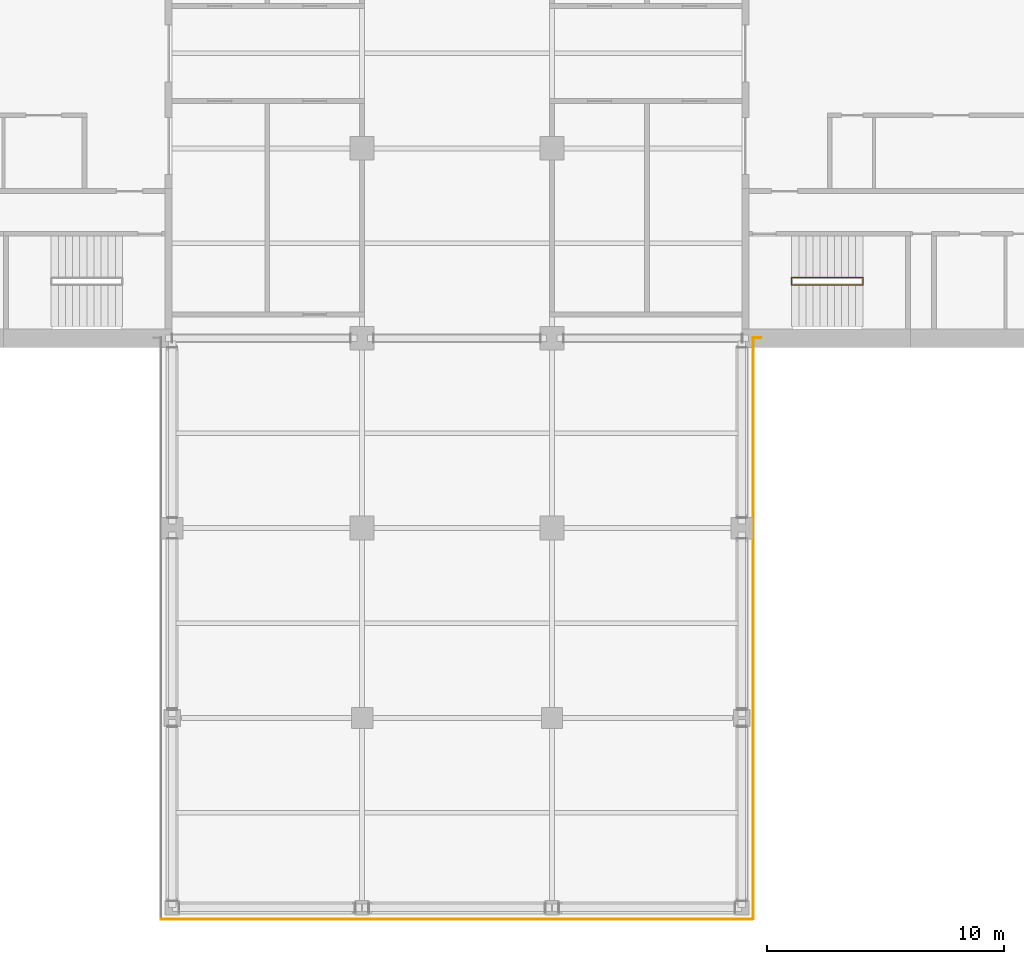
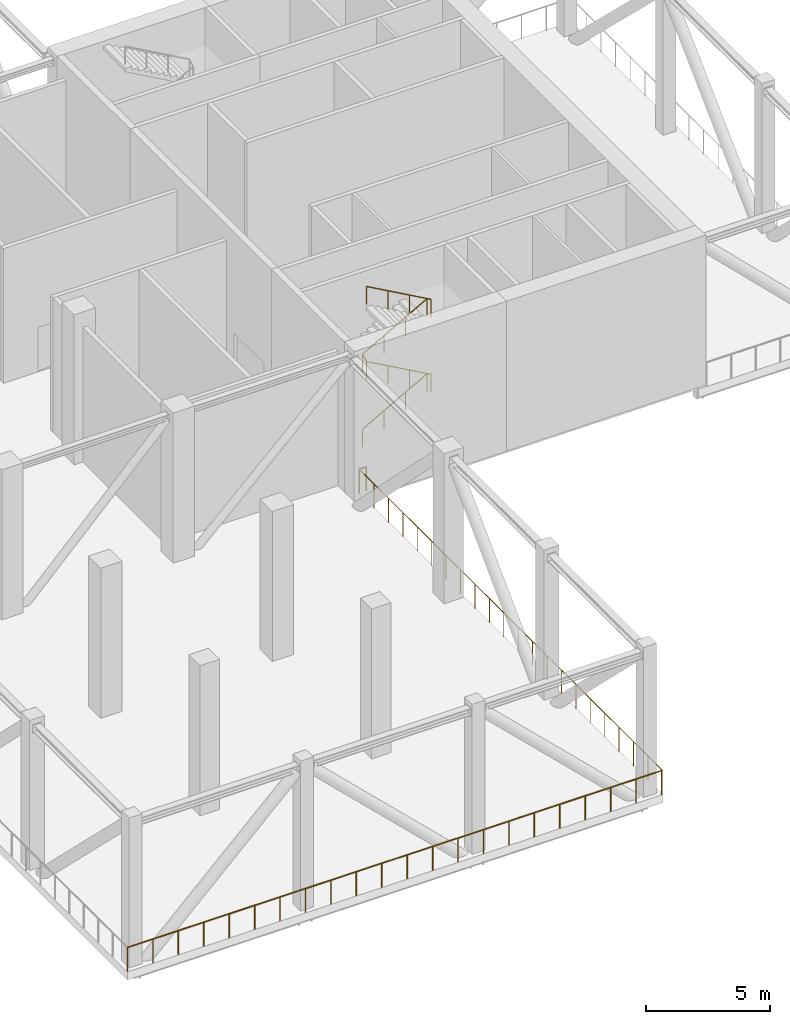
# One storey, part 15 of 18: 4 railings.
"""IFC4 building model written with IfcOpenShell, lengths in metres."""

from ifc_helpers import new_model, si_unit, direction, frame, origin, origin_2d, place, context, subcontext, project, spatial, circle, extrude, material, type_object, element, save


model = new_model("IFC4")

# Units and contexts
model_context = context("Model", 3, precision=1e-05, world=origin(), true_north=direction((0.0, 1.0)))
body_context = subcontext(model_context, "Body", "Model", "MODEL_VIEW")
ifc_project = project(units=[si_unit("LENGTHUNIT", "METRE"), si_unit("AREAUNIT", "SQUARE_METRE"), si_unit("VOLUMEUNIT", "CUBIC_METRE"), si_unit("PLANEANGLEUNIT", "RADIAN"), si_unit("MASSUNIT", "GRAM", prefix="KILO")], contexts=[model_context])

# Site, building, storey
site_placement = place(None, origin())
site = spatial("IfcSite", under=ifc_project, at=site_placement, CompositionType="ELEMENT")
building_placement = place(site_placement, origin())
building = spatial("IfcBuilding", under=site, at=building_placement, Name="Crosswind Convention Tower", CompositionType="ELEMENT")
storey_placement = place(building_placement, frame((0.0, 0.0, 105.300048828125)))
storey = spatial("IfcBuildingStorey", under=building, at=storey_placement, Name="L21", CompositionType="ELEMENT", Elevation=105.300048828125)

# Railings
ifc_material_1 = material(Name="Stainless steel", Category="steel")
railing_type_1 = type_object("IfcRailingType", Name="Stair handrail 900", PredefinedType="HANDRAIL", material=ifc_material_1)
railing_1_placement = place(storey_placement, frame((139.10009765625, 90.56005859375, 0.168212890625)))
element("IfcRailing", 1, at=railing_1_placement, inside=storey, type_object=railing_type_1, Name="Stair ST2 handrail L21", PredefinedType="HANDRAIL", context=body_context, shape_type="SweptSolid", body=[
    extrude(circle(Radius=0.02392578125, at=origin_2d()), frame((0.0, 0.0, 0.8759765625), z_axis=(0.872302573547, 0.0, 0.488966481656), x_axis=(0.0, 1.0, 0.0)), (0.0, 0.0, 1.0), 3.439208984375),
    extrude(circle(Radius=0.02392578125, at=origin_2d()), frame((3.0, 0.0, 2.5576171875), z_axis=(0.0, -0.885196349292, 0.465217608438), x_axis=(1.0, 0.0, 0.0)), (0.0, 0.0, 1.0), 0.361572265625),
    extrude(circle(Radius=0.02392578125, at=origin_2d()), frame((3.0, -0.320068359375, 2.7255859375), z_axis=(-0.872272294576, 0.0, 0.489020494575), x_axis=(0.0, -1.0, 0.0)), (0.0, 0.0, 1.0), 3.439208984375),
    extrude(circle(Radius=0.02392578125, at=origin_2d()), frame((0.0, -0.320068359375, 4.40771484375), z_axis=(0.0, 0.885196349292, 0.465217608438), x_axis=(-1.0, 0.0, 0.0)), (0.0, 0.0, 1.0), 0.361572265625),
    extrude(circle(Radius=0.02392578125, at=origin_2d()), frame((0.0, 0.0, 4.57568359375), z_axis=(0.872272294576, 0.0, 0.489020494575), x_axis=(0.0, 1.0, 0.0)), (0.0, 0.0, 1.0), 3.439208984375),
    extrude(circle(Radius=0.02392578125, at=origin_2d()), frame((3.0, 0.0, 6.2578125), z_axis=(0.0, -0.885474334664, 0.464688285468), x_axis=(1.0, 0.0, 0.0)), (0.0, 0.0, 1.0), 0.361572265625),
    extrude(circle(Radius=0.02392578125, at=origin_2d()), frame((3.0, -0.320068359375, 6.42578125), z_axis=(-0.872272294576, 0.0, 0.489020494575), x_axis=(0.0, -1.0, 0.0)), (0.0, 0.0, 1.0), 3.439208984375),
    extrude(circle(Radius=0.02099609375, at=origin_2d()), origin(), (0.0, 0.0, 1.0), 0.851806640625),
    extrude(circle(Radius=0.02099609375, at=origin_2d()), frame((1.0, 0.0, 0.560546875)), (0.0, 0.0, 1.0), 0.851806640625),
    extrude(circle(Radius=0.02099609375, at=origin_2d()), frame((2.0, 0.0, 1.12109375)), (0.0, 0.0, 1.0), 0.851806640625),
    extrude(circle(Radius=0.02099609375, at=origin_2d()), frame((3.0, 0.0, 1.681640625)), (0.0, 0.0, 1.0), 0.851806640625),
    extrude(circle(Radius=0.02099609375, at=origin_2d()), frame((3.0, -0.320068359375, 1.849853515625)), (0.0, 0.0, 1.0), 0.851806640625),
    extrude(circle(Radius=0.02099609375, at=origin_2d()), frame((2.0, -0.320068359375, 2.410400390625)), (0.0, 0.0, 1.0), 0.851806640625),
    extrude(circle(Radius=0.02099609375, at=origin_2d()), frame((1.0, -0.320068359375, 2.97119140625)), (0.0, 0.0, 1.0), 0.851806640625),
    extrude(circle(Radius=0.02099609375, at=origin_2d()), frame((0.0, -0.320068359375, 3.53173828125)), (0.0, 0.0, 1.0), 0.851806640625),
    extrude(circle(Radius=0.02099609375, at=origin_2d()), frame((0.0, 0.0, 3.699951171875)), (0.0, 0.0, 1.0), 0.851806640625),
    extrude(circle(Radius=0.02099609375, at=origin_2d()), frame((1.0, 0.0, 4.260498046875)), (0.0, 0.0, 1.0), 0.851806640625),
    extrude(circle(Radius=0.02099609375, at=origin_2d()), frame((2.0, 0.0, 4.8212890625)), (0.0, 0.0, 1.0), 0.851806640625),
    extrude(circle(Radius=0.02099609375, at=origin_2d()), frame((3.0, 0.0, 5.3818359375)), (0.0, 0.0, 1.0), 0.851806640625),
    extrude(circle(Radius=0.02099609375, at=origin_2d()), frame((3.0, -0.320068359375, 5.5498046875)), (0.0, 0.0, 1.0), 0.851806640625),
    extrude(circle(Radius=0.02099609375, at=origin_2d()), frame((2.0, -0.320068359375, 6.1103515625)), (0.0, 0.0, 1.0), 0.851806640625),
    extrude(circle(Radius=0.02099609375, at=origin_2d()), frame((1.0, -0.320068359375, 6.671142578125)), (0.0, 0.0, 1.0), 0.851806640625),
    extrude(circle(Radius=0.02099609375, at=origin_2d()), frame((0.0, -0.320068359375, 7.231689453125)), (0.0, 0.0, 1.0), 0.851806640625),
])
ifc_material_2 = material(Name="Stainless steel guard", Category="steel")
railing_type_2 = type_object("IfcRailingType", Name="WIND FLOOR GUARD 1200", PredefinedType="GUARDRAIL", material=ifc_material_2)
railing_2_placement = place(storey_placement, frame((137.800048828125, 88.02490234375, 0.0)))
element("IfcRailing", 2, at=railing_2_placement, inside=storey, type_object=railing_type_2, Name="R12 guard L21 9", PredefinedType="GUARDRAIL", context=body_context, shape_type="SweptSolid", body=[
    extrude(circle(Radius=0.01904296875, at=origin_2d()), frame((0.0, 0.0, 1.180908203125), z_axis=(-1.0, 0.0, 0.0), x_axis=(0.0, -1.0, 0.0)), (0.0, 0.0, 1.0), 0.324951171875),
    extrude(circle(Radius=0.01611328125, at=origin_2d()), origin(), (0.0, 0.0, 1.0), 1.161865234375),
    extrude(circle(Radius=0.01611328125, at=origin_2d()), frame((-0.324951171875, 0.0, 0.0)), (0.0, 0.0, 1.0), 1.161865234375),
])
railing_3_placement = place(storey_placement, frame((137.47509765625, 87.985107421875, 0.0)))
element("IfcRailing", 3, at=railing_3_placement, inside=storey, type_object=railing_type_2, Name="R12 guard L21 10", PredefinedType="GUARDRAIL", context=body_context, shape_type="SweptSolid", body=[
    extrude(circle(Radius=0.01904296875, at=origin_2d()), frame((0.0, 0.0, 1.180908203125), z_axis=(0.0, -1.0, 0.0), x_axis=(1.0, 0.0, 0.0)), (0.0, 0.0, 1.0), 24.460205078125),
    extrude(circle(Radius=0.01611328125, at=origin_2d()), origin(), (0.0, 0.0, 1.0), 1.161865234375),
    extrude(circle(Radius=0.01611328125, at=origin_2d()), frame((0.0, -1.164794921875, 0.0)), (0.0, 0.0, 1.0), 1.161865234375),
    extrude(circle(Radius=0.01611328125, at=origin_2d()), frame((0.0, -2.32958984375, 0.0)), (0.0, 0.0, 1.0), 1.161865234375),
    extrude(circle(Radius=0.01611328125, at=origin_2d()), frame((0.0, -3.494384765625, 0.0)), (0.0, 0.0, 1.0), 1.161865234375),
    extrude(circle(Radius=0.01611328125, at=origin_2d()), frame((0.0, -4.6591796875, 0.0)), (0.0, 0.0, 1.0), 1.161865234375),
    extrude(circle(Radius=0.01611328125, at=origin_2d()), frame((0.0, -5.823974609375, 0.0)), (0.0, 0.0, 1.0), 1.161865234375),
    extrude(circle(Radius=0.01611328125, at=origin_2d()), frame((0.0, -6.988525390625, 0.0)), (0.0, 0.0, 1.0), 1.161865234375),
    extrude(circle(Radius=0.01611328125, at=origin_2d()), frame((0.0, -8.1533203125, 0.0)), (0.0, 0.0, 1.0), 1.161865234375),
    extrude(circle(Radius=0.01611328125, at=origin_2d()), frame((0.0, -9.318115234375, 0.0)), (0.0, 0.0, 1.0), 1.161865234375),
    extrude(circle(Radius=0.01611328125, at=origin_2d()), frame((0.0, -10.48291015625, 0.0)), (0.0, 0.0, 1.0), 1.161865234375),
    extrude(circle(Radius=0.01611328125, at=origin_2d()), frame((0.0, -11.647705078125, 0.0)), (0.0, 0.0, 1.0), 1.161865234375),
    extrude(circle(Radius=0.01611328125, at=origin_2d()), frame((0.0, -12.8125, 0.0)), (0.0, 0.0, 1.0), 1.161865234375),
    extrude(circle(Radius=0.01611328125, at=origin_2d()), frame((0.0, -13.977294921875, 0.0)), (0.0, 0.0, 1.0), 1.161865234375),
    extrude(circle(Radius=0.01611328125, at=origin_2d()), frame((0.0, -15.14208984375, 0.0)), (0.0, 0.0, 1.0), 1.161865234375),
    extrude(circle(Radius=0.01611328125, at=origin_2d()), frame((0.0, -16.306884765625, 0.0)), (0.0, 0.0, 1.0), 1.161865234375),
    extrude(circle(Radius=0.01611328125, at=origin_2d()), frame((0.0, -17.4716796875, 0.0)), (0.0, 0.0, 1.0), 1.161865234375),
    extrude(circle(Radius=0.01611328125, at=origin_2d()), frame((0.0, -18.63623046875, 0.0)), (0.0, 0.0, 1.0), 1.161865234375),
    extrude(circle(Radius=0.01611328125, at=origin_2d()), frame((0.0, -19.801025390625, 0.0)), (0.0, 0.0, 1.0), 1.161865234375),
    extrude(circle(Radius=0.01611328125, at=origin_2d()), frame((0.0, -20.9658203125, 0.0)), (0.0, 0.0, 1.0), 1.161865234375),
    extrude(circle(Radius=0.01611328125, at=origin_2d()), frame((0.0, -22.130615234375, 0.0)), (0.0, 0.0, 1.0), 1.161865234375),
    extrude(circle(Radius=0.01611328125, at=origin_2d()), frame((0.0, -23.29541015625, 0.0)), (0.0, 0.0, 1.0), 1.161865234375),
    extrude(circle(Radius=0.01611328125, at=origin_2d()), frame((0.0, -24.460205078125, 0.0)), (0.0, 0.0, 1.0), 1.161865234375),
])
railing_4_placement = place(storey_placement, frame((137.43505859375, 63.52490234375, 0.0)))
element("IfcRailing", 4, at=railing_4_placement, inside=storey, type_object=railing_type_2, Name="R12 guard L21 11", PredefinedType="GUARDRAIL", context=body_context, shape_type="SweptSolid", body=[
    extrude(circle(Radius=0.01904296875, at=origin_2d()), frame((0.0, 0.0, 1.180908203125), z_axis=(-1.0, 0.0, 0.0), x_axis=(0.0, -1.0, 0.0)), (0.0, 0.0, 1.0), 24.91015625),
    extrude(circle(Radius=0.01611328125, at=origin_2d()), origin(), (0.0, 0.0, 1.0), 1.161865234375),
    extrude(circle(Radius=0.01611328125, at=origin_2d()), frame((-1.186279296875, 0.0, 0.0)), (0.0, 0.0, 1.0), 1.161865234375),
    extrude(circle(Radius=0.01611328125, at=origin_2d()), frame((-2.372314453125, 0.0, 0.0)), (0.0, 0.0, 1.0), 1.161865234375),
    extrude(circle(Radius=0.01611328125, at=origin_2d()), frame((-3.55859375, 0.0, 0.0)), (0.0, 0.0, 1.0), 1.161865234375),
    extrude(circle(Radius=0.01611328125, at=origin_2d()), frame((-4.744873046875, 0.0, 0.0)), (0.0, 0.0, 1.0), 1.161865234375),
    extrude(circle(Radius=0.01611328125, at=origin_2d()), frame((-5.930908203125, 0.0, 0.0)), (0.0, 0.0, 1.0), 1.161865234375),
    extrude(circle(Radius=0.01611328125, at=origin_2d()), frame((-7.1171875, 0.0, 0.0)), (0.0, 0.0, 1.0), 1.161865234375),
    extrude(circle(Radius=0.01611328125, at=origin_2d()), frame((-8.303466796875, 0.0, 0.0)), (0.0, 0.0, 1.0), 1.161865234375),
    extrude(circle(Radius=0.01611328125, at=origin_2d()), frame((-9.489501953125, 0.0, 0.0)), (0.0, 0.0, 1.0), 1.161865234375),
    extrude(circle(Radius=0.01611328125, at=origin_2d()), frame((-10.67578125, 0.0, 0.0)), (0.0, 0.0, 1.0), 1.161865234375),
    extrude(circle(Radius=0.01611328125, at=origin_2d()), frame((-11.862060546875, 0.0, 0.0)), (0.0, 0.0, 1.0), 1.161865234375),
    extrude(circle(Radius=0.01611328125, at=origin_2d()), frame((-13.048095703125, 0.0, 0.0)), (0.0, 0.0, 1.0), 1.161865234375),
    extrude(circle(Radius=0.01611328125, at=origin_2d()), frame((-14.234375, 0.0, 0.0)), (0.0, 0.0, 1.0), 1.161865234375),
    extrude(circle(Radius=0.01611328125, at=origin_2d()), frame((-15.420654296875, 0.0, 0.0)), (0.0, 0.0, 1.0), 1.161865234375),
    extrude(circle(Radius=0.01611328125, at=origin_2d()), frame((-16.606689453125, 0.0, 0.0)), (0.0, 0.0, 1.0), 1.161865234375),
    extrude(circle(Radius=0.01611328125, at=origin_2d()), frame((-17.79296875, 0.0, 0.0)), (0.0, 0.0, 1.0), 1.161865234375),
    extrude(circle(Radius=0.01611328125, at=origin_2d()), frame((-18.979248046875, 0.0, 0.0)), (0.0, 0.0, 1.0), 1.161865234375),
    extrude(circle(Radius=0.01611328125, at=origin_2d()), frame((-20.165283203125, 0.0, 0.0)), (0.0, 0.0, 1.0), 1.161865234375),
    extrude(circle(Radius=0.01611328125, at=origin_2d()), frame((-21.3515625, 0.0, 0.0)), (0.0, 0.0, 1.0), 1.161865234375),
    extrude(circle(Radius=0.01611328125, at=origin_2d()), frame((-22.537841796875, 0.0, 0.0)), (0.0, 0.0, 1.0), 1.161865234375),
    extrude(circle(Radius=0.01611328125, at=origin_2d()), frame((-23.723876953125, 0.0, 0.0)), (0.0, 0.0, 1.0), 1.161865234375),
    extrude(circle(Radius=0.01611328125, at=origin_2d()), frame((-24.91015625, 0.0, 0.0)), (0.0, 0.0, 1.0), 1.161865234375),
])

save(model, "model.ifc")
